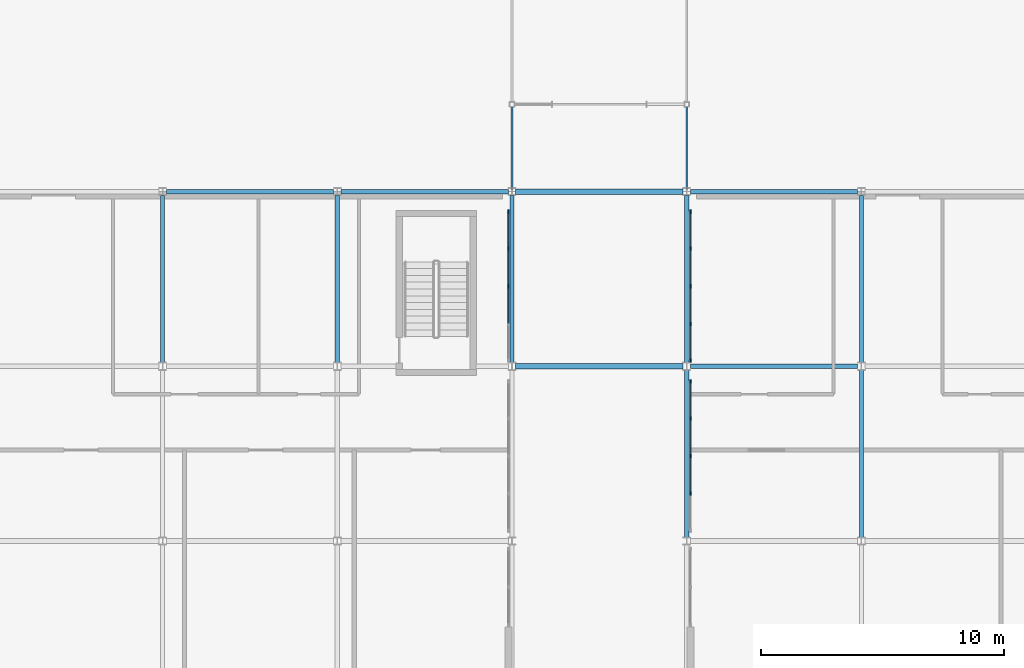
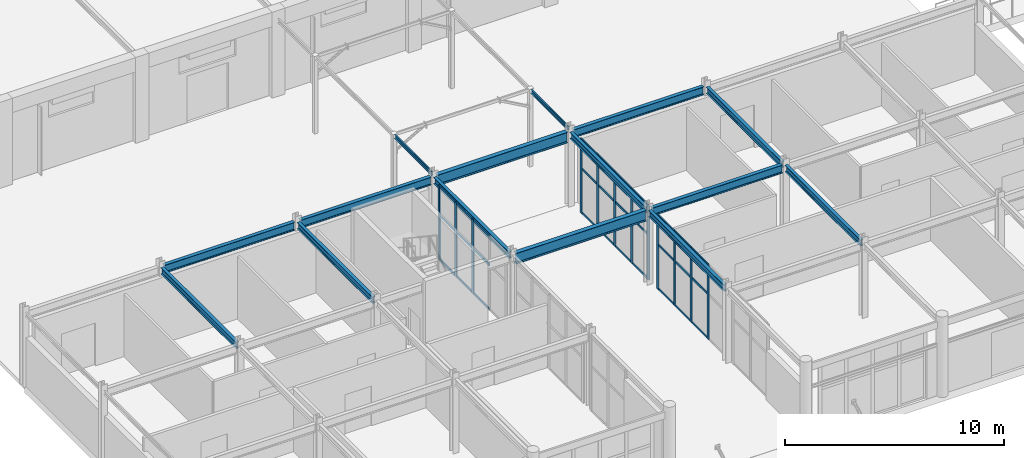
# One storey, part 29 of 85: 42 members, 15 beams, 3 elements without a shape of their own.
"""IFC4 building model written with IfcOpenShell, lengths in metres."""

from ifc_helpers import new_model, si_unit, direction, frame, origin, origin_2d, place, context, subcontext, project, spatial, rectangle, i_section, u_section, extrude, material, layer, layer_set, material_profile, profile_set, type_object, element, aggregate, save


model = new_model("IFC4")

# Units and contexts
model_context = context("Model", 3, precision=1e-05, world=origin(), true_north=direction((0.0, 1.0)))
body_context = subcontext(model_context, "Body", "Model", "MODEL_VIEW")
ifc_project = project(units=[si_unit("LENGTHUNIT", "METRE"), si_unit("AREAUNIT", "SQUARE_METRE"), si_unit("VOLUMEUNIT", "CUBIC_METRE"), si_unit("PLANEANGLEUNIT", "RADIAN"), si_unit("MASSUNIT", "GRAM", prefix="KILO")], contexts=[model_context])

# Site, building, storey
site_placement = place(None, origin())
site = spatial("IfcSite", under=ifc_project, at=site_placement, CompositionType="ELEMENT")
building_placement = place(site_placement, origin())
building = spatial("IfcBuilding", under=site, at=building_placement, Name="Ochrevale Crest", CompositionType="ELEMENT")
storey_placement = place(building_placement, origin())
storey = spatial("IfcBuildingStorey", under=building, at=storey_placement, Name="L00", CompositionType="ELEMENT", Elevation=0.0)

# Beams
ifc_material_1 = material(Name="Steel S355", Category="steel")
ifc_material_profile_1 = material_profile(ifc_material_1, u_section(Depth=0.22998046875, FlangeWidth=0.074951171875, WebThickness=0.006591796875, FlangeThickness=0.011962890625, FilletRadius=0.011962890625, at=origin_2d()), Name="230PFC")
ifc_profile_set_1 = profile_set([ifc_material_profile_1], Name="Steel S355")
beam_type_1 = type_object("IfcBeamType", Name="BM-PFC230", PredefinedType="SPANDREL", material=ifc_profile_set_1)
for number, where, z_axis, x_axis, name in (
    (1, (79.199951171875, 28.8798828125, 4.219970703125), (0.0, 1.0, 0.0), (-1.0, 0.0, 0.0), "Covered public passage longitudinal channel"),
    (2, (86.39990234375, 28.8798828125, 4.219970703125), (0.0, 1.0, 0.0), (-1.0, 0.0, 0.0), "Covered public passage longitudinal channel"),
):
    element("IfcBeam", number, at=place(storey_placement, frame(where, z_axis=z_axis, x_axis=x_axis)), inside=storey, type_object=beam_type_1, Name=name, PredefinedType="SPANDREL", context=body_context, shape_type="SweptSolid", body=[
        extrude(u_section(Depth=0.22998046875, FlangeWidth=0.074951171875, WebThickness=0.006591796875, FlangeThickness=0.011962890625, FilletRadius=0.011962890625, at=origin_2d()), origin(), (0.0, 0.0, 1.0), 3.440185546875),
    ])
ifc_material_profile_2 = material_profile(ifc_material_1, i_section(OverallWidth=0.172119140625, OverallDepth=0.358642578125, WebThickness=0.008056640625, FlangeThickness=0.012939453125, FilletRadius=0.011474609375, at=origin_2d()), Name="360UB56.7")
ifc_profile_set_2 = profile_set([ifc_material_profile_2], Name="Steel S355")
beam_type_2 = type_object("IfcBeamType", Name="BM-UB360B", PredefinedType="BEAM", material=ifc_profile_set_2)
for number, where, z_axis, x_axis, name in (
    (3, (64.800048828125, 21.75, 3.99560546875), (0.0, 1.0, 0.0), (-1.0, 0.0, 0.0), "Retail arcade L00 N-S beam X=64.8"),
    (4, (72.0, 21.75, 3.99560546875), (0.0, 1.0, 0.0), (-1.0, 0.0, 0.0), "Retail arcade L00 N-S beam X=72.0"),
    (5, (79.199951171875, 21.75, 3.99560546875), (0.0, 1.0, 0.0), (-1.0, 0.0, 0.0), "Retail arcade L00 N-S beam X=79.2"),
    (6, (86.39990234375, 14.550048828125, 3.99560546875), (0.0, 1.0, 0.0), (-1.0, 0.0, 0.0), "Retail arcade L00 N-S beam X=86.4"),
    (7, (86.39990234375, 21.75, 3.99560546875), (0.0, 1.0, 0.0), (-1.0, 0.0, 0.0), "Retail arcade L00 N-S beam X=86.4"),
    (8, (93.60009765625, 14.550048828125, 3.99560546875), (0.0, 1.0, 0.0), (-1.0, 0.0, 0.0), "Retail arcade L00 N-S beam X=93.6"),
    (9, (93.60009765625, 21.75, 3.99560546875), (0.0, 1.0, 0.0), (-1.0, 0.0, 0.0), "Retail arcade L00 N-S beam X=93.6"),
):
    element("IfcBeam", number, at=place(storey_placement, frame(where, z_axis=z_axis, x_axis=x_axis)), inside=storey, type_object=beam_type_2, Name=name, PredefinedType="BEAM", context=body_context, shape_type="SweptSolid", body=[
        extrude(i_section(OverallWidth=0.172119140625, OverallDepth=0.358642578125, WebThickness=0.008056640625, FlangeThickness=0.012939453125, FilletRadius=0.011474609375, at=origin_2d()), origin(), (0.0, 0.0, 1.0), 6.89990234375),
    ])
ifc_material_profile_3 = material_profile(ifc_material_1, i_section(OverallWidth=0.18994140625, OverallDepth=0.453857421875, WebThickness=0.008544921875, FlangeThickness=0.0126953125, FilletRadius=0.011474609375, at=origin_2d()), Name="460UB67.1")
ifc_profile_set_3 = profile_set([ifc_material_profile_3], Name="Steel S355")
beam_type_3 = type_object("IfcBeamType", Name="BM-UB460", PredefinedType="USERDEFINED", material=ifc_profile_set_3)
beam_1_placement = place(storey_placement, frame((86.550048828125, 21.60009765625, 3.947998046875), z_axis=(1.0, 0.0, 0.0), x_axis=(0.0, 1.0, 0.0)))
element("IfcBeam", 10, at=beam_1_placement, inside=storey, type_object=beam_type_3, Name="Retail arcade L00 E-W beam Y=21.6", ObjectType="GIRDER", PredefinedType="USERDEFINED", context=body_context, shape_type="SweptSolid", body=[
    extrude(i_section(OverallWidth=0.18994140625, OverallDepth=0.453857421875, WebThickness=0.008544921875, FlangeThickness=0.0126953125, FilletRadius=0.011474609375, at=origin_2d()), origin(), (0.0, 0.0, 1.0), 6.89990234375),
])
for number, where, z_axis, x_axis, name in (
    (11, (64.949951171875, 28.800048828125, 3.947998046875), (1.0, 0.0, 0.0), (0.0, 1.0, 0.0), "Retail arcade L00 E-W beam Y=28.8"),
    (12, (72.14990234375, 28.800048828125, 3.947998046875), (1.0, 0.0, 0.0), (0.0, 1.0, 0.0), "Retail arcade L00 E-W beam Y=28.8"),
):
    element("IfcBeam", number, at=place(storey_placement, frame(where, z_axis=z_axis, x_axis=x_axis)), inside=storey, type_object=beam_type_3, Name=name, ObjectType="GIRDER", PredefinedType="USERDEFINED", context=body_context, shape_type="SweptSolid", body=[
        extrude(i_section(OverallWidth=0.18994140625, OverallDepth=0.453857421875, WebThickness=0.008544921875, FlangeThickness=0.0126953125, FilletRadius=0.011474609375, at=origin_2d()), origin(), (0.0, 0.0, 1.0), 6.900146484375),
    ])
beam_2_placement = place(storey_placement, frame((86.550048828125, 28.800048828125, 3.947998046875), z_axis=(1.0, 0.0, 0.0), x_axis=(0.0, 1.0, 0.0)))
element("IfcBeam", 13, at=beam_2_placement, inside=storey, type_object=beam_type_3, Name="Retail arcade L00 E-W beam Y=28.8", ObjectType="GIRDER", PredefinedType="USERDEFINED", context=body_context, shape_type="SweptSolid", body=[
    extrude(i_section(OverallWidth=0.18994140625, OverallDepth=0.453857421875, WebThickness=0.008544921875, FlangeThickness=0.0126953125, FilletRadius=0.011474609375, at=origin_2d()), origin(), (0.0, 0.0, 1.0), 6.89990234375),
])
ifc_material_profile_4 = material_profile(ifc_material_1, i_section(OverallWidth=0.22802734375, OverallDepth=0.60205078125, WebThickness=0.010498046875, FlangeThickness=0.014892578125, FilletRadius=0.013916015625, at=origin_2d()), Name="610UB101")
ifc_profile_set_4 = profile_set([ifc_material_profile_4], Name="Steel S355")
beam_type_4 = type_object("IfcBeamType", Name="BM-UB610A", PredefinedType="USERDEFINED", material=ifc_profile_set_4)
for number, where, z_axis, x_axis, name in (
    (14, (79.35009765625, 21.60009765625, 3.8740234375), (1.0, 0.0, 0.0), (0.0, 1.0, 0.0), "Retail arcade L00 E-W beam Y=21.6"),
    (15, (79.35009765625, 28.800048828125, 3.8740234375), (1.0, 0.0, 0.0), (0.0, 1.0, 0.0), "Retail arcade L00 E-W beam Y=28.8"),
):
    element("IfcBeam", number, at=place(storey_placement, frame(where, z_axis=z_axis, x_axis=x_axis)), inside=storey, type_object=beam_type_4, Name=name, ObjectType="GIRDER", PredefinedType="USERDEFINED", context=body_context, shape_type="SweptSolid", body=[
        extrude(i_section(OverallWidth=0.22802734375, OverallDepth=0.60205078125, WebThickness=0.010498046875, FlangeThickness=0.014892578125, FilletRadius=0.013916015625, at=origin_2d()), origin(), (0.0, 0.0, 1.0), 6.89990234375),
    ])

# Curtain wall, members
ifc_material_2 = material(Name="Anodised aluminium 6063-T5", Category="aluminium")
ifc_layer = layer(ifc_material_2, 0.14990234375)
ifc_layer_set = layer_set([ifc_layer], Name="Anodised aluminium 6063-T5")
curtain_wall_type = type_object("IfcCurtainWallType", Name="CW-PAS-620x410", PredefinedType="NOTDEFINED", material=ifc_layer_set)
curtain_wall_1_placement = place(storey_placement, origin())
curtain_wall_1 = element("IfcCurtainWall", 16, at=curtain_wall_1_placement, inside=storey, type_object=curtain_wall_type, Name="Covered public passage W shopfront glazing 3", PredefinedType="NOTDEFINED")
ifc_material_profile_5 = material_profile(ifc_material_2, rectangle(XDim=0.06494140625, YDim=0.14990234375, at=origin_2d()), Name="ALU 65x150")
ifc_profile_set_5 = profile_set([ifc_material_profile_5], Name="Anodised aluminium 6063-T5")
member_type_1 = type_object("IfcMemberType", Name="CW-MUL-65x150", PredefinedType="MULLION", material=ifc_profile_set_5)
member_1_placement = place(storey_placement, frame((79.050048828125, 24.89990234375, 0.0), z_axis=(0.0, 0.0, 1.0), x_axis=(-1.0, 0.0, 0.0)))
member_1 = element("IfcMember", 17, at=member_1_placement, type_object=member_type_1, Name="CW05 mullion 3", PredefinedType="MULLION", context=body_context, shape_type="SweptSolid", body=[
    extrude(rectangle(XDim=0.06494140625, YDim=0.14990234375, at=origin_2d()), origin(), (0.0, 0.0, 1.0), 4.14990234375),
])
member_2_placement = place(storey_placement, frame((79.050048828125, 26.449951171875, 0.0), z_axis=(0.0, 0.0, 1.0), x_axis=(-1.0, 0.0, 0.0)))
member_2 = element("IfcMember", 18, at=member_2_placement, type_object=member_type_1, Name="CW05 mullion 4", PredefinedType="MULLION", context=body_context, shape_type="SweptSolid", body=[
    extrude(rectangle(XDim=0.06494140625, YDim=0.14990234375, at=origin_2d()), origin(), (0.0, 0.0, 1.0), 4.14990234375),
])
member_3_placement = place(storey_placement, frame((79.050048828125, 27.967529296875, 0.0), z_axis=(0.0, 0.0, 1.0), x_axis=(-1.0, 0.0, 0.0)))
member_3 = element("IfcMember", 19, at=member_3_placement, type_object=member_type_1, Name="CW05 mullion 5", PredefinedType="MULLION", context=body_context, shape_type="SweptSolid", body=[
    extrude(rectangle(XDim=0.06494140625, YDim=0.14990234375, at=origin_2d()), origin(), (0.0, 0.0, 1.0), 4.14990234375),
])

curtain_wall_2_placement = place(storey_placement, origin())
curtain_wall_2 = element("IfcCurtainWall", 20, at=curtain_wall_2_placement, inside=storey, type_object=curtain_wall_type, Name="Covered public passage E shopfront glazing 2", PredefinedType="NOTDEFINED")
member_4_placement = place(storey_placement, frame((86.550048828125, 16.35009765625, 0.0), z_axis=(0.0, 0.0, 1.0), x_axis=(-1.0, 0.0, 0.0)))
member_4 = element("IfcMember", 21, at=member_4_placement, type_object=member_type_1, Name="CW05 mullion 2", PredefinedType="MULLION", context=body_context, shape_type="SweptSolid", body=[
    extrude(rectangle(XDim=0.06494140625, YDim=0.14990234375, at=origin_2d()), origin(), (0.0, 0.0, 1.0), 4.14990234375),
])
member_5_placement = place(storey_placement, frame((86.550048828125, 17.89990234375, 0.0), z_axis=(0.0, 0.0, 1.0), x_axis=(-1.0, 0.0, 0.0)))
member_5 = element("IfcMember", 22, at=member_5_placement, type_object=member_type_1, Name="CW05 mullion 3", PredefinedType="MULLION", context=body_context, shape_type="SweptSolid", body=[
    extrude(rectangle(XDim=0.06494140625, YDim=0.14990234375, at=origin_2d()), origin(), (0.0, 0.0, 1.0), 4.14990234375),
])
member_6_placement = place(storey_placement, frame((86.550048828125, 19.449951171875, 0.0), z_axis=(0.0, 0.0, 1.0), x_axis=(-1.0, 0.0, 0.0)))
member_6 = element("IfcMember", 23, at=member_6_placement, type_object=member_type_1, Name="CW05 mullion 4", PredefinedType="MULLION", context=body_context, shape_type="SweptSolid", body=[
    extrude(rectangle(XDim=0.06494140625, YDim=0.14990234375, at=origin_2d()), origin(), (0.0, 0.0, 1.0), 4.14990234375),
])
member_7_placement = place(storey_placement, frame((86.550048828125, 20.967529296875, 0.0), z_axis=(0.0, 0.0, 1.0), x_axis=(-1.0, 0.0, 0.0)))
member_7 = element("IfcMember", 24, at=member_7_placement, type_object=member_type_1, Name="CW05 mullion 5", PredefinedType="MULLION", context=body_context, shape_type="SweptSolid", body=[
    extrude(rectangle(XDim=0.06494140625, YDim=0.14990234375, at=origin_2d()), origin(), (0.0, 0.0, 1.0), 4.14990234375),
])

curtain_wall_3_placement = place(storey_placement, origin())
curtain_wall_3 = element("IfcCurtainWall", 25, at=curtain_wall_3_placement, inside=storey, type_object=curtain_wall_type, Name="Covered public passage E shopfront glazing 3", PredefinedType="NOTDEFINED")
member_8_placement = place(storey_placement, frame((86.550048828125, 21.83251953125, 0.0), z_axis=(0.0, 0.0, 1.0), x_axis=(-1.0, 0.0, 0.0)))
member_8 = element("IfcMember", 26, at=member_8_placement, type_object=member_type_1, Name="CW05 mullion 1", PredefinedType="MULLION", context=body_context, shape_type="SweptSolid", body=[
    extrude(rectangle(XDim=0.06494140625, YDim=0.14990234375, at=origin_2d()), origin(), (0.0, 0.0, 1.0), 4.14990234375),
])
member_9_placement = place(storey_placement, frame((86.550048828125, 23.35009765625, 0.0), z_axis=(0.0, 0.0, 1.0), x_axis=(-1.0, 0.0, 0.0)))
member_9 = element("IfcMember", 27, at=member_9_placement, type_object=member_type_1, Name="CW05 mullion 2", PredefinedType="MULLION", context=body_context, shape_type="SweptSolid", body=[
    extrude(rectangle(XDim=0.06494140625, YDim=0.14990234375, at=origin_2d()), origin(), (0.0, 0.0, 1.0), 4.14990234375),
])
member_10_placement = place(storey_placement, frame((86.550048828125, 24.89990234375, 0.0), z_axis=(0.0, 0.0, 1.0), x_axis=(-1.0, 0.0, 0.0)))
member_10 = element("IfcMember", 28, at=member_10_placement, type_object=member_type_1, Name="CW05 mullion 3", PredefinedType="MULLION", context=body_context, shape_type="SweptSolid", body=[
    extrude(rectangle(XDim=0.06494140625, YDim=0.14990234375, at=origin_2d()), origin(), (0.0, 0.0, 1.0), 4.14990234375),
])
member_11_placement = place(storey_placement, frame((86.550048828125, 26.449951171875, 0.0), z_axis=(0.0, 0.0, 1.0), x_axis=(-1.0, 0.0, 0.0)))
member_11 = element("IfcMember", 29, at=member_11_placement, type_object=member_type_1, Name="CW05 mullion 4", PredefinedType="MULLION", context=body_context, shape_type="SweptSolid", body=[
    extrude(rectangle(XDim=0.06494140625, YDim=0.14990234375, at=origin_2d()), origin(), (0.0, 0.0, 1.0), 4.14990234375),
])
member_12_placement = place(storey_placement, frame((86.550048828125, 27.967529296875, 0.0), z_axis=(0.0, 0.0, 1.0), x_axis=(-1.0, 0.0, 0.0)))
member_12 = element("IfcMember", 30, at=member_12_placement, type_object=member_type_1, Name="CW05 mullion 5", PredefinedType="MULLION", context=body_context, shape_type="SweptSolid", body=[
    extrude(rectangle(XDim=0.06494140625, YDim=0.14990234375, at=origin_2d()), origin(), (0.0, 0.0, 1.0), 4.14990234375),
])

# Member
ifc_material_profile_6 = material_profile(ifc_material_2, rectangle(XDim=0.06005859375, YDim=0.1201171875, at=origin_2d()), Name="ALU 60x120")
ifc_profile_set_6 = profile_set([ifc_material_profile_6], Name="Anodised aluminium 6063-T5")
member_type_2 = type_object("IfcMemberType", Name="CW-TRN-60x120", PredefinedType="USERDEFINED", material=ifc_profile_set_6)
member_13_placement = place(storey_placement, frame((79.050048828125, 23.382568359375, 0.030029296875), z_axis=(0.0, 1.0, 0.0), x_axis=(-1.0, 0.0, 0.0)))
member_13 = element("IfcMember", 31, at=member_13_placement, type_object=member_type_2, Name="CW05 transom 2.1", ObjectType="TRANSOM", PredefinedType="USERDEFINED", context=body_context, shape_type="SweptSolid", body=[
    extrude(rectangle(XDim=0.06005859375, YDim=0.1201171875, at=origin_2d()), origin(), (0.0, 0.0, 1.0), 1.48486328125),
])

member_14_placement = place(storey_placement, frame((79.050048828125, 23.382568359375, 2.5), z_axis=(0.0, 1.0, 0.0), x_axis=(-1.0, 0.0, 0.0)))
member_14 = element("IfcMember", 32, at=member_14_placement, type_object=member_type_2, Name="CW05 transom 2.2", ObjectType="TRANSOM", PredefinedType="USERDEFINED", context=body_context, shape_type="SweptSolid", body=[
    extrude(rectangle(XDim=0.06005859375, YDim=0.1201171875, at=origin_2d()), origin(), (0.0, 0.0, 1.0), 1.48486328125),
])

member_15_placement = place(storey_placement, frame((79.050048828125, 23.382568359375, 4.1201171875), z_axis=(0.0, 1.0, 0.0), x_axis=(-1.0, 0.0, 0.0)))
member_15 = element("IfcMember", 33, at=member_15_placement, type_object=member_type_2, Name="CW05 transom 2.3", ObjectType="TRANSOM", PredefinedType="USERDEFINED", context=body_context, shape_type="SweptSolid", body=[
    extrude(rectangle(XDim=0.06005859375, YDim=0.1201171875, at=origin_2d()), origin(), (0.0, 0.0, 1.0), 1.48486328125),
])

member_16_placement = place(storey_placement, frame((79.050048828125, 24.9326171875, 0.030029296875), z_axis=(0.0, 1.0, 0.0), x_axis=(-1.0, 0.0, 0.0)))
member_16 = element("IfcMember", 34, at=member_16_placement, type_object=member_type_2, Name="CW05 transom 3.1", ObjectType="TRANSOM", PredefinedType="USERDEFINED", context=body_context, shape_type="SweptSolid", body=[
    extrude(rectangle(XDim=0.06005859375, YDim=0.1201171875, at=origin_2d()), origin(), (0.0, 0.0, 1.0), 1.48486328125),
])

member_17_placement = place(storey_placement, frame((79.050048828125, 24.9326171875, 2.5), z_axis=(0.0, 1.0, 0.0), x_axis=(-1.0, 0.0, 0.0)))
member_17 = element("IfcMember", 35, at=member_17_placement, type_object=member_type_2, Name="CW05 transom 3.2", ObjectType="TRANSOM", PredefinedType="USERDEFINED", context=body_context, shape_type="SweptSolid", body=[
    extrude(rectangle(XDim=0.06005859375, YDim=0.1201171875, at=origin_2d()), origin(), (0.0, 0.0, 1.0), 1.48486328125),
])

member_18_placement = place(storey_placement, frame((79.050048828125, 24.9326171875, 4.1201171875), z_axis=(0.0, 1.0, 0.0), x_axis=(-1.0, 0.0, 0.0)))
member_18 = element("IfcMember", 36, at=member_18_placement, type_object=member_type_2, Name="CW05 transom 3.3", ObjectType="TRANSOM", PredefinedType="USERDEFINED", context=body_context, shape_type="SweptSolid", body=[
    extrude(rectangle(XDim=0.06005859375, YDim=0.1201171875, at=origin_2d()), origin(), (0.0, 0.0, 1.0), 1.48486328125),
])

member_19_placement = place(storey_placement, frame((79.050048828125, 26.482421875, 0.030029296875), z_axis=(0.0, 1.0, 0.0), x_axis=(-1.0, 0.0, 0.0)))
member_19 = element("IfcMember", 37, at=member_19_placement, type_object=member_type_2, Name="CW05 transom 4.1", ObjectType="TRANSOM", PredefinedType="USERDEFINED", context=body_context, shape_type="SweptSolid", body=[
    extrude(rectangle(XDim=0.06005859375, YDim=0.1201171875, at=origin_2d()), origin(), (0.0, 0.0, 1.0), 1.45263671875),
])

member_20_placement = place(storey_placement, frame((79.050048828125, 26.482421875, 2.5), z_axis=(0.0, 1.0, 0.0), x_axis=(-1.0, 0.0, 0.0)))
member_20 = element("IfcMember", 38, at=member_20_placement, type_object=member_type_2, Name="CW05 transom 4.2", ObjectType="TRANSOM", PredefinedType="USERDEFINED", context=body_context, shape_type="SweptSolid", body=[
    extrude(rectangle(XDim=0.06005859375, YDim=0.1201171875, at=origin_2d()), origin(), (0.0, 0.0, 1.0), 1.45263671875),
])

member_21_placement = place(storey_placement, frame((79.050048828125, 26.482421875, 4.1201171875), z_axis=(0.0, 1.0, 0.0), x_axis=(-1.0, 0.0, 0.0)))
member_21 = element("IfcMember", 39, at=member_21_placement, type_object=member_type_2, Name="CW05 transom 4.3", ObjectType="TRANSOM", PredefinedType="USERDEFINED", context=body_context, shape_type="SweptSolid", body=[
    extrude(rectangle(XDim=0.06005859375, YDim=0.1201171875, at=origin_2d()), origin(), (0.0, 0.0, 1.0), 1.45263671875),
])

aggregate(curtain_wall_1, [member_1, member_2, member_3, member_13, member_14, member_15, member_16, member_17, member_18, member_19, member_20, member_21])

member_22_placement = place(storey_placement, frame((86.550048828125, 16.382568359375, 0.030029296875), z_axis=(0.0, 1.0, 0.0), x_axis=(-1.0, 0.0, 0.0)))
member_22 = element("IfcMember", 40, at=member_22_placement, type_object=member_type_2, Name="CW05 transom 2.1", ObjectType="TRANSOM", PredefinedType="USERDEFINED", context=body_context, shape_type="SweptSolid", body=[
    extrude(rectangle(XDim=0.06005859375, YDim=0.1201171875, at=origin_2d()), origin(), (0.0, 0.0, 1.0), 1.48486328125),
])

member_23_placement = place(storey_placement, frame((86.550048828125, 16.382568359375, 2.5), z_axis=(0.0, 1.0, 0.0), x_axis=(-1.0, 0.0, 0.0)))
member_23 = element("IfcMember", 41, at=member_23_placement, type_object=member_type_2, Name="CW05 transom 2.2", ObjectType="TRANSOM", PredefinedType="USERDEFINED", context=body_context, shape_type="SweptSolid", body=[
    extrude(rectangle(XDim=0.06005859375, YDim=0.1201171875, at=origin_2d()), origin(), (0.0, 0.0, 1.0), 1.48486328125),
])

member_24_placement = place(storey_placement, frame((86.550048828125, 16.382568359375, 4.1201171875), z_axis=(0.0, 1.0, 0.0), x_axis=(-1.0, 0.0, 0.0)))
member_24 = element("IfcMember", 42, at=member_24_placement, type_object=member_type_2, Name="CW05 transom 2.3", ObjectType="TRANSOM", PredefinedType="USERDEFINED", context=body_context, shape_type="SweptSolid", body=[
    extrude(rectangle(XDim=0.06005859375, YDim=0.1201171875, at=origin_2d()), origin(), (0.0, 0.0, 1.0), 1.48486328125),
])

member_25_placement = place(storey_placement, frame((86.550048828125, 17.9326171875, 0.030029296875), z_axis=(0.0, 1.0, 0.0), x_axis=(-1.0, 0.0, 0.0)))
member_25 = element("IfcMember", 43, at=member_25_placement, type_object=member_type_2, Name="CW05 transom 3.1", ObjectType="TRANSOM", PredefinedType="USERDEFINED", context=body_context, shape_type="SweptSolid", body=[
    extrude(rectangle(XDim=0.06005859375, YDim=0.1201171875, at=origin_2d()), origin(), (0.0, 0.0, 1.0), 1.48486328125),
])

member_26_placement = place(storey_placement, frame((86.550048828125, 17.9326171875, 2.5), z_axis=(0.0, 1.0, 0.0), x_axis=(-1.0, 0.0, 0.0)))
member_26 = element("IfcMember", 44, at=member_26_placement, type_object=member_type_2, Name="CW05 transom 3.2", ObjectType="TRANSOM", PredefinedType="USERDEFINED", context=body_context, shape_type="SweptSolid", body=[
    extrude(rectangle(XDim=0.06005859375, YDim=0.1201171875, at=origin_2d()), origin(), (0.0, 0.0, 1.0), 1.48486328125),
])

member_27_placement = place(storey_placement, frame((86.550048828125, 17.9326171875, 4.1201171875), z_axis=(0.0, 1.0, 0.0), x_axis=(-1.0, 0.0, 0.0)))
member_27 = element("IfcMember", 45, at=member_27_placement, type_object=member_type_2, Name="CW05 transom 3.3", ObjectType="TRANSOM", PredefinedType="USERDEFINED", context=body_context, shape_type="SweptSolid", body=[
    extrude(rectangle(XDim=0.06005859375, YDim=0.1201171875, at=origin_2d()), origin(), (0.0, 0.0, 1.0), 1.48486328125),
])

member_28_placement = place(storey_placement, frame((86.550048828125, 19.482421875, 0.030029296875), z_axis=(0.0, 1.0, 0.0), x_axis=(-1.0, 0.0, 0.0)))
member_28 = element("IfcMember", 46, at=member_28_placement, type_object=member_type_2, Name="CW05 transom 4.1", ObjectType="TRANSOM", PredefinedType="USERDEFINED", context=body_context, shape_type="SweptSolid", body=[
    extrude(rectangle(XDim=0.06005859375, YDim=0.1201171875, at=origin_2d()), origin(), (0.0, 0.0, 1.0), 1.45263671875),
])

member_29_placement = place(storey_placement, frame((86.550048828125, 19.482421875, 2.5), z_axis=(0.0, 1.0, 0.0), x_axis=(-1.0, 0.0, 0.0)))
member_29 = element("IfcMember", 47, at=member_29_placement, type_object=member_type_2, Name="CW05 transom 4.2", ObjectType="TRANSOM", PredefinedType="USERDEFINED", context=body_context, shape_type="SweptSolid", body=[
    extrude(rectangle(XDim=0.06005859375, YDim=0.1201171875, at=origin_2d()), origin(), (0.0, 0.0, 1.0), 1.45263671875),
])

member_30_placement = place(storey_placement, frame((86.550048828125, 19.482421875, 4.1201171875), z_axis=(0.0, 1.0, 0.0), x_axis=(-1.0, 0.0, 0.0)))
member_30 = element("IfcMember", 48, at=member_30_placement, type_object=member_type_2, Name="CW05 transom 4.3", ObjectType="TRANSOM", PredefinedType="USERDEFINED", context=body_context, shape_type="SweptSolid", body=[
    extrude(rectangle(XDim=0.06005859375, YDim=0.1201171875, at=origin_2d()), origin(), (0.0, 0.0, 1.0), 1.45263671875),
])

aggregate(curtain_wall_2, [member_4, member_5, member_6, member_7, member_22, member_23, member_24, member_25, member_26, member_27, member_28, member_29, member_30])

member_31_placement = place(storey_placement, frame((86.550048828125, 21.864990234375, 0.030029296875), z_axis=(0.0, 1.0, 0.0), x_axis=(-1.0, 0.0, 0.0)))
member_31 = element("IfcMember", 49, at=member_31_placement, type_object=member_type_2, Name="CW05 transom 1.1", ObjectType="TRANSOM", PredefinedType="USERDEFINED", context=body_context, shape_type="SweptSolid", body=[
    extrude(rectangle(XDim=0.06005859375, YDim=0.1201171875, at=origin_2d()), origin(), (0.0, 0.0, 1.0), 1.452392578125),
])

member_32_placement = place(storey_placement, frame((86.550048828125, 21.864990234375, 2.5), z_axis=(0.0, 1.0, 0.0), x_axis=(-1.0, 0.0, 0.0)))
member_32 = element("IfcMember", 50, at=member_32_placement, type_object=member_type_2, Name="CW05 transom 1.2", ObjectType="TRANSOM", PredefinedType="USERDEFINED", context=body_context, shape_type="SweptSolid", body=[
    extrude(rectangle(XDim=0.06005859375, YDim=0.1201171875, at=origin_2d()), origin(), (0.0, 0.0, 1.0), 1.452392578125),
])

member_33_placement = place(storey_placement, frame((86.550048828125, 21.864990234375, 4.1201171875), z_axis=(0.0, 1.0, 0.0), x_axis=(-1.0, 0.0, 0.0)))
member_33 = element("IfcMember", 51, at=member_33_placement, type_object=member_type_2, Name="CW05 transom 1.3", ObjectType="TRANSOM", PredefinedType="USERDEFINED", context=body_context, shape_type="SweptSolid", body=[
    extrude(rectangle(XDim=0.06005859375, YDim=0.1201171875, at=origin_2d()), origin(), (0.0, 0.0, 1.0), 1.452392578125),
])

member_34_placement = place(storey_placement, frame((86.550048828125, 23.382568359375, 0.030029296875), z_axis=(0.0, 1.0, 0.0), x_axis=(-1.0, 0.0, 0.0)))
member_34 = element("IfcMember", 52, at=member_34_placement, type_object=member_type_2, Name="CW05 transom 2.1", ObjectType="TRANSOM", PredefinedType="USERDEFINED", context=body_context, shape_type="SweptSolid", body=[
    extrude(rectangle(XDim=0.06005859375, YDim=0.1201171875, at=origin_2d()), origin(), (0.0, 0.0, 1.0), 1.48486328125),
])

member_35_placement = place(storey_placement, frame((86.550048828125, 23.382568359375, 2.5), z_axis=(0.0, 1.0, 0.0), x_axis=(-1.0, 0.0, 0.0)))
member_35 = element("IfcMember", 53, at=member_35_placement, type_object=member_type_2, Name="CW05 transom 2.2", ObjectType="TRANSOM", PredefinedType="USERDEFINED", context=body_context, shape_type="SweptSolid", body=[
    extrude(rectangle(XDim=0.06005859375, YDim=0.1201171875, at=origin_2d()), origin(), (0.0, 0.0, 1.0), 1.48486328125),
])

member_36_placement = place(storey_placement, frame((86.550048828125, 23.382568359375, 4.1201171875), z_axis=(0.0, 1.0, 0.0), x_axis=(-1.0, 0.0, 0.0)))
member_36 = element("IfcMember", 54, at=member_36_placement, type_object=member_type_2, Name="CW05 transom 2.3", ObjectType="TRANSOM", PredefinedType="USERDEFINED", context=body_context, shape_type="SweptSolid", body=[
    extrude(rectangle(XDim=0.06005859375, YDim=0.1201171875, at=origin_2d()), origin(), (0.0, 0.0, 1.0), 1.48486328125),
])

member_37_placement = place(storey_placement, frame((86.550048828125, 24.9326171875, 0.030029296875), z_axis=(0.0, 1.0, 0.0), x_axis=(-1.0, 0.0, 0.0)))
member_37 = element("IfcMember", 55, at=member_37_placement, type_object=member_type_2, Name="CW05 transom 3.1", ObjectType="TRANSOM", PredefinedType="USERDEFINED", context=body_context, shape_type="SweptSolid", body=[
    extrude(rectangle(XDim=0.06005859375, YDim=0.1201171875, at=origin_2d()), origin(), (0.0, 0.0, 1.0), 1.48486328125),
])

member_38_placement = place(storey_placement, frame((86.550048828125, 24.9326171875, 2.5), z_axis=(0.0, 1.0, 0.0), x_axis=(-1.0, 0.0, 0.0)))
member_38 = element("IfcMember", 56, at=member_38_placement, type_object=member_type_2, Name="CW05 transom 3.2", ObjectType="TRANSOM", PredefinedType="USERDEFINED", context=body_context, shape_type="SweptSolid", body=[
    extrude(rectangle(XDim=0.06005859375, YDim=0.1201171875, at=origin_2d()), origin(), (0.0, 0.0, 1.0), 1.48486328125),
])

member_39_placement = place(storey_placement, frame((86.550048828125, 24.9326171875, 4.1201171875), z_axis=(0.0, 1.0, 0.0), x_axis=(-1.0, 0.0, 0.0)))
member_39 = element("IfcMember", 57, at=member_39_placement, type_object=member_type_2, Name="CW05 transom 3.3", ObjectType="TRANSOM", PredefinedType="USERDEFINED", context=body_context, shape_type="SweptSolid", body=[
    extrude(rectangle(XDim=0.06005859375, YDim=0.1201171875, at=origin_2d()), origin(), (0.0, 0.0, 1.0), 1.48486328125),
])

member_40_placement = place(storey_placement, frame((86.550048828125, 26.482421875, 0.030029296875), z_axis=(0.0, 1.0, 0.0), x_axis=(-1.0, 0.0, 0.0)))
member_40 = element("IfcMember", 58, at=member_40_placement, type_object=member_type_2, Name="CW05 transom 4.1", ObjectType="TRANSOM", PredefinedType="USERDEFINED", context=body_context, shape_type="SweptSolid", body=[
    extrude(rectangle(XDim=0.06005859375, YDim=0.1201171875, at=origin_2d()), origin(), (0.0, 0.0, 1.0), 1.45263671875),
])

member_41_placement = place(storey_placement, frame((86.550048828125, 26.482421875, 2.5), z_axis=(0.0, 1.0, 0.0), x_axis=(-1.0, 0.0, 0.0)))
member_41 = element("IfcMember", 59, at=member_41_placement, type_object=member_type_2, Name="CW05 transom 4.2", ObjectType="TRANSOM", PredefinedType="USERDEFINED", context=body_context, shape_type="SweptSolid", body=[
    extrude(rectangle(XDim=0.06005859375, YDim=0.1201171875, at=origin_2d()), origin(), (0.0, 0.0, 1.0), 1.45263671875),
])

member_42_placement = place(storey_placement, frame((86.550048828125, 26.482421875, 4.1201171875), z_axis=(0.0, 1.0, 0.0), x_axis=(-1.0, 0.0, 0.0)))
member_42 = element("IfcMember", 60, at=member_42_placement, type_object=member_type_2, Name="CW05 transom 4.3", ObjectType="TRANSOM", PredefinedType="USERDEFINED", context=body_context, shape_type="SweptSolid", body=[
    extrude(rectangle(XDim=0.06005859375, YDim=0.1201171875, at=origin_2d()), origin(), (0.0, 0.0, 1.0), 1.45263671875),
])

aggregate(curtain_wall_3, [member_8, member_9, member_10, member_11, member_12, member_31, member_32, member_33, member_34, member_35, member_36, member_37, member_38, member_39, member_40, member_41, member_42])

save(model, "model.ifc")
